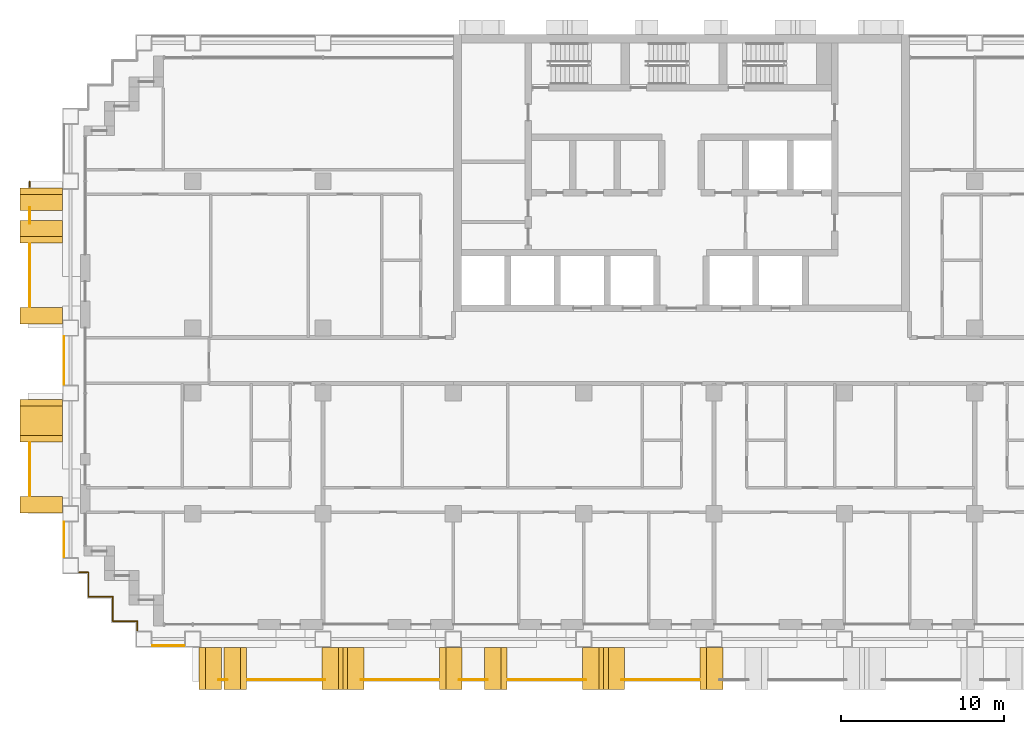
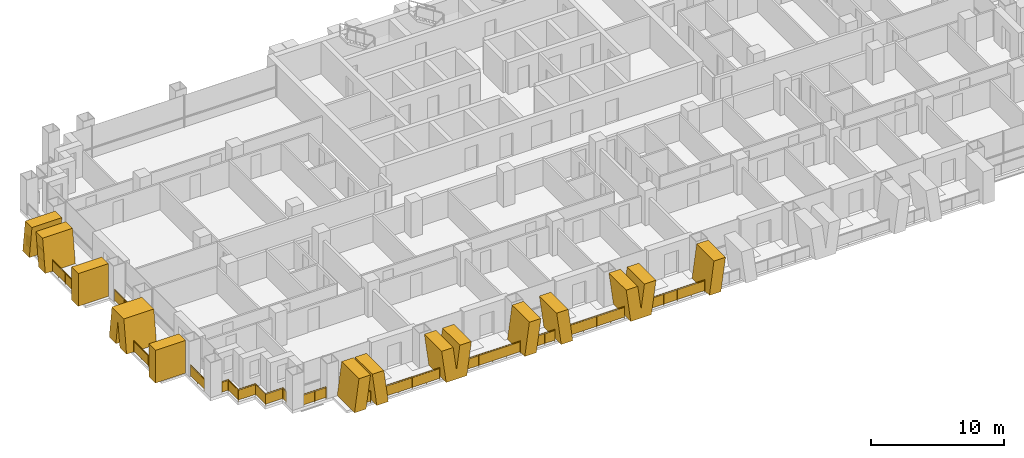
# One storey, part 15 of 18: 14 railings, 12 shading devices.
"""IFC4 building model written with IfcOpenShell, lengths in metres."""

from ifc_helpers import new_model, si_unit, direction, frame, origin, origin_2d, place, context, subcontext, project, spatial, polyline, rectangle, circle, outline, extrude, material, layer, layer_set, type_object, element, save


model = new_model("IFC4")

# Units and contexts
model_context = context("Model", 3, precision=1e-05, world=origin(), true_north=direction((0.0, 1.0)))
body_context = subcontext(model_context, "Body", "Model", "MODEL_VIEW")
ifc_project = project(units=[si_unit("LENGTHUNIT", "METRE"), si_unit("AREAUNIT", "SQUARE_METRE"), si_unit("VOLUMEUNIT", "CUBIC_METRE"), si_unit("PLANEANGLEUNIT", "RADIAN"), si_unit("MASSUNIT", "GRAM", prefix="KILO")], contexts=[model_context])

# Site, building, storey
site_placement = place(None, origin())
site = spatial("IfcSite", under=ifc_project, at=site_placement, CompositionType="ELEMENT")
building_placement = place(site_placement, origin())
building = spatial("IfcBuilding", under=site, at=building_placement, Name="Vidyagriha Tower", CompositionType="ELEMENT")
storey_placement = place(building_placement, frame((0.0, 0.0, 44.800048828125)))
storey = spatial("IfcBuildingStorey", under=building, at=storey_placement, Name="L11", CompositionType="ELEMENT", Elevation=44.800048828125)

# Railings
ifc_material_1 = material(Name="Steel ASTM A500 Grade C black painted", Category="steel")
railing_type_1 = type_object("IfcRailingType", Name="Balcony guard 1100", PredefinedType="BALUSTRADE", material=ifc_material_1)
railing_1_placement = place(storey_placement, frame((-40.0, 11.0, 0.0)))
element("IfcRailing", 1, at=railing_1_placement, inside=storey, type_object=railing_type_1, Name="Balcony guard L11 R16.1-1", PredefinedType="BALUSTRADE", context=body_context, shape_type="SweptSolid", body=[
    extrude(circle(Radius=0.02490234375, at=origin_2d()), frame((0.0, 0.0, 1.0751953125), z_axis=(0.0, -1.0, 0.0), x_axis=(1.0, 0.0, 0.0)), (0.0, 0.0, 1.0), 0.35009765625),
    extrude(circle(Radius=0.02001953125, at=origin_2d()), origin(), (0.0, 0.0, 1.0), 1.050048828125),
    extrude(circle(Radius=0.02001953125, at=origin_2d()), frame((0.0, -0.35009765625, 0.0)), (0.0, 0.0, 1.0), 1.050048828125),
    extrude(rectangle(XDim=0.010009765625, YDim=0.900146484375, at=origin_2d()), frame((0.0, 0.0, 0.550048828125), z_axis=(0.0, -1.0, 0.0), x_axis=(1.0, 0.0, 0.0)), (0.0, 0.0, 1.0), 0.35009765625),
])
railing_2_placement = place(storey_placement, frame((-40.0, 9.396728515625, 0.0)))
element("IfcRailing", 2, at=railing_2_placement, inside=storey, type_object=railing_type_1, Name="Balcony guard L11 R16.1-2", PredefinedType="BALUSTRADE", context=body_context, shape_type="SweptSolid", body=[
    extrude(circle(Radius=0.02490234375, at=origin_2d()), frame((0.0, 0.0, 1.0751953125), z_axis=(0.0, -1.0, 0.0), x_axis=(1.0, 0.0, 0.0)), (0.0, 0.0, 1.0), 0.993408203125),
    extrude(circle(Radius=0.02001953125, at=origin_2d()), origin(), (0.0, 0.0, 1.0), 1.050048828125),
    extrude(circle(Radius=0.02001953125, at=origin_2d()), frame((0.0, -0.993408203125, 0.0)), (0.0, 0.0, 1.0), 1.050048828125),
    extrude(rectangle(XDim=0.010009765625, YDim=0.900146484375, at=origin_2d()), frame((0.0, 0.0, 0.550048828125), z_axis=(0.0, -1.0, 0.0), x_axis=(1.0, 0.0, 0.0)), (0.0, 0.0, 1.0), 0.993408203125),
])
railing_3_placement = place(storey_placement, frame((-40.0, 7.14990234375, 0.0)))
element("IfcRailing", 3, at=railing_3_placement, inside=storey, type_object=railing_type_1, Name="Balcony guard L11 R16.1-3", PredefinedType="BALUSTRADE", context=body_context, shape_type="SweptSolid", body=[
    extrude(circle(Radius=0.02490234375, at=origin_2d()), frame((0.0, 0.0, 1.0751953125), z_axis=(0.0, -1.0, 0.0), x_axis=(1.0, 0.0, 0.0)), (0.0, 0.0, 1.0), 3.849853515625),
    extrude(circle(Radius=0.02001953125, at=origin_2d()), origin(), (0.0, 0.0, 1.0), 1.050048828125),
    extrude(circle(Radius=0.02001953125, at=origin_2d()), frame((0.0, -0.96240234375, 0.0)), (0.0, 0.0, 1.0), 1.050048828125),
    extrude(circle(Radius=0.02001953125, at=origin_2d()), frame((0.0, -1.9248046875, 0.0)), (0.0, 0.0, 1.0), 1.050048828125),
    extrude(circle(Radius=0.02001953125, at=origin_2d()), frame((0.0, -2.887451171875, 0.0)), (0.0, 0.0, 1.0), 1.050048828125),
    extrude(circle(Radius=0.02001953125, at=origin_2d()), frame((0.0, -3.849853515625, 0.0)), (0.0, 0.0, 1.0), 1.050048828125),
    extrude(rectangle(XDim=0.010009765625, YDim=0.900146484375, at=origin_2d()), frame((0.0, 0.0, 0.550048828125), z_axis=(0.0, -1.0, 0.0), x_axis=(1.0, 0.0, 0.0)), (0.0, 0.0, 1.0), 3.849853515625),
])
railing_4_placement = place(storey_placement, frame((-40.0, -5.050048828125, 0.0)))
element("IfcRailing", 4, at=railing_4_placement, inside=storey, type_object=railing_type_1, Name="Balcony guard L11 R16.2-1", PredefinedType="BALUSTRADE", context=body_context, shape_type="SweptSolid", body=[
    extrude(circle(Radius=0.02490234375, at=origin_2d()), frame((0.0, 0.0, 1.0751953125), z_axis=(0.0, -1.0, 0.0), x_axis=(1.0, 0.0, 0.0)), (0.0, 0.0, 1.0), 3.25),
    extrude(circle(Radius=0.02001953125, at=origin_2d()), origin(), (0.0, 0.0, 1.0), 1.050048828125),
    extrude(circle(Radius=0.02001953125, at=origin_2d()), frame((0.0, -1.083251953125, 0.0)), (0.0, 0.0, 1.0), 1.050048828125),
    extrude(circle(Radius=0.02001953125, at=origin_2d()), frame((0.0, -2.166748046875, 0.0)), (0.0, 0.0, 1.0), 1.050048828125),
    extrude(circle(Radius=0.02001953125, at=origin_2d()), frame((0.0, -3.25, 0.0)), (0.0, 0.0, 1.0), 1.050048828125),
    extrude(rectangle(XDim=0.010009765625, YDim=0.900146484375, at=origin_2d()), frame((0.0, 0.0, 0.550048828125), z_axis=(0.0, -1.0, 0.0), x_axis=(1.0, 0.0, 0.0)), (0.0, 0.0, 1.0), 3.25),
])
railing_5_placement = place(storey_placement, frame((-28.41650390625, -19.60009765625, 0.0)))
element("IfcRailing", 5, at=railing_5_placement, inside=storey, type_object=railing_type_1, Name="Balcony guard L11 R23.1-1", PredefinedType="BALUSTRADE", context=body_context, shape_type="SweptSolid", body=[
    extrude(circle(Radius=0.02490234375, at=origin_2d()), frame((0.0, 0.0, 1.0751953125), z_axis=(1.0, 0.0, 0.0), x_axis=(0.0, 1.0, 0.0)), (0.0, 0.0, 1.0), 0.532958984375),
    extrude(circle(Radius=0.02001953125, at=origin_2d()), origin(), (0.0, 0.0, 1.0), 1.050048828125),
    extrude(circle(Radius=0.02001953125, at=origin_2d()), frame((0.532958984375, 0.0, 0.0)), (0.0, 0.0, 1.0), 1.050048828125),
    extrude(rectangle(XDim=0.010009765625, YDim=0.900146484375, at=origin_2d()), frame((0.0, 0.0, 0.550048828125), z_axis=(1.0, 0.0, 0.0), x_axis=(0.0, 1.0, 0.0)), (0.0, 0.0, 1.0), 0.532958984375),
])
railing_6_placement = place(storey_placement, frame((-26.6357421875, -19.60009765625, 0.0)))
element("IfcRailing", 6, at=railing_6_placement, inside=storey, type_object=railing_type_1, Name="Balcony guard L11 R23.1-2", PredefinedType="BALUSTRADE", context=body_context, shape_type="SweptSolid", body=[
    extrude(circle(Radius=0.02490234375, at=origin_2d()), frame((0.0, 0.0, 1.0751953125), z_axis=(1.0, 0.0, 0.0), x_axis=(0.0, 1.0, 0.0)), (0.0, 0.0, 1.0), 4.764404296875),
    extrude(circle(Radius=0.02001953125, at=origin_2d()), origin(), (0.0, 0.0, 1.0), 1.050048828125),
    extrude(circle(Radius=0.02001953125, at=origin_2d()), frame((1.191162109375, 0.0, 0.0)), (0.0, 0.0, 1.0), 1.050048828125),
    extrude(circle(Radius=0.02001953125, at=origin_2d()), frame((2.38232421875, 0.0, 0.0)), (0.0, 0.0, 1.0), 1.050048828125),
    extrude(circle(Radius=0.02001953125, at=origin_2d()), frame((3.5732421875, 0.0, 0.0)), (0.0, 0.0, 1.0), 1.050048828125),
    extrude(circle(Radius=0.02001953125, at=origin_2d()), frame((4.764404296875, 0.0, 0.0)), (0.0, 0.0, 1.0), 1.050048828125),
    extrude(rectangle(XDim=0.010009765625, YDim=0.900146484375, at=origin_2d()), frame((0.0, 0.0, 0.550048828125), z_axis=(1.0, 0.0, 0.0), x_axis=(0.0, 1.0, 0.0)), (0.0, 0.0, 1.0), 4.764404296875),
])
railing_7_placement = place(storey_placement, frame((-19.678466796875, -19.60009765625, 0.0)))
element("IfcRailing", 7, at=railing_7_placement, inside=storey, type_object=railing_type_1, Name="Balcony guard L11 R23.1-3", PredefinedType="BALUSTRADE", context=body_context, shape_type="SweptSolid", body=[
    extrude(circle(Radius=0.02490234375, at=origin_2d()), frame((0.0, 0.0, 1.0751953125), z_axis=(1.0, 0.0, 0.0), x_axis=(0.0, 1.0, 0.0)), (0.0, 0.0, 1.0), 4.7734375),
    extrude(circle(Radius=0.02001953125, at=origin_2d()), origin(), (0.0, 0.0, 1.0), 1.050048828125),
    extrude(circle(Radius=0.02001953125, at=origin_2d()), frame((1.193359375, 0.0, 0.0)), (0.0, 0.0, 1.0), 1.050048828125),
    extrude(circle(Radius=0.02001953125, at=origin_2d()), frame((2.38671875, 0.0, 0.0)), (0.0, 0.0, 1.0), 1.050048828125),
    extrude(circle(Radius=0.02001953125, at=origin_2d()), frame((3.580078125, 0.0, 0.0)), (0.0, 0.0, 1.0), 1.050048828125),
    extrude(circle(Radius=0.02001953125, at=origin_2d()), frame((4.7734375, 0.0, 0.0)), (0.0, 0.0, 1.0), 1.050048828125),
    extrude(rectangle(XDim=0.010009765625, YDim=0.900146484375, at=origin_2d()), frame((0.0, 0.0, 0.550048828125), z_axis=(1.0, 0.0, 0.0), x_axis=(0.0, 1.0, 0.0)), (0.0, 0.0, 1.0), 4.7734375),
])
railing_8_placement = place(storey_placement, frame((-13.653564453125, -19.60009765625, 0.0)))
element("IfcRailing", 8, at=railing_8_placement, inside=storey, type_object=railing_type_1, Name="Balcony guard L11 R23.1-4", PredefinedType="BALUSTRADE", context=body_context, shape_type="SweptSolid", body=[
    extrude(circle(Radius=0.02490234375, at=origin_2d()), frame((0.0, 0.0, 1.0751953125), z_axis=(1.0, 0.0, 0.0), x_axis=(0.0, 1.0, 0.0)), (0.0, 0.0, 1.0), 1.757080078125),
    extrude(circle(Radius=0.02001953125, at=origin_2d()), origin(), (0.0, 0.0, 1.0), 1.050048828125),
    extrude(circle(Radius=0.02001953125, at=origin_2d()), frame((0.87841796875, 0.0, 0.0)), (0.0, 0.0, 1.0), 1.050048828125),
    extrude(circle(Radius=0.02001953125, at=origin_2d()), frame((1.757080078125, 0.0, 0.0)), (0.0, 0.0, 1.0), 1.050048828125),
    extrude(rectangle(XDim=0.010009765625, YDim=0.900146484375, at=origin_2d()), frame((0.0, 0.0, 0.550048828125), z_axis=(1.0, 0.0, 0.0), x_axis=(0.0, 1.0, 0.0)), (0.0, 0.0, 1.0), 1.757080078125),
])
railing_9_placement = place(storey_placement, frame((-10.64501953125, -19.60009765625, 0.0)))
element("IfcRailing", 9, at=railing_9_placement, inside=storey, type_object=railing_type_1, Name="Balcony guard L11 R23.1-5", PredefinedType="BALUSTRADE", context=body_context, shape_type="SweptSolid", body=[
    extrude(circle(Radius=0.02490234375, at=origin_2d()), frame((0.0, 0.0, 1.0751953125), z_axis=(1.0, 0.0, 0.0), x_axis=(0.0, 1.0, 0.0)), (0.0, 0.0, 1.0), 4.773681640625),
    extrude(circle(Radius=0.02001953125, at=origin_2d()), origin(), (0.0, 0.0, 1.0), 1.050048828125),
    extrude(circle(Radius=0.02001953125, at=origin_2d()), frame((1.193359375, 0.0, 0.0)), (0.0, 0.0, 1.0), 1.050048828125),
    extrude(circle(Radius=0.02001953125, at=origin_2d()), frame((2.38671875, 0.0, 0.0)), (0.0, 0.0, 1.0), 1.050048828125),
    extrude(circle(Radius=0.02001953125, at=origin_2d()), frame((3.580322265625, 0.0, 0.0)), (0.0, 0.0, 1.0), 1.050048828125),
    extrude(circle(Radius=0.02001953125, at=origin_2d()), frame((4.773681640625, 0.0, 0.0)), (0.0, 0.0, 1.0), 1.050048828125),
    extrude(rectangle(XDim=0.010009765625, YDim=0.900146484375, at=origin_2d()), frame((0.0, 0.0, 0.550048828125), z_axis=(1.0, 0.0, 0.0), x_axis=(0.0, 1.0, 0.0)), (0.0, 0.0, 1.0), 4.773681640625),
])
railing_10_placement = place(storey_placement, frame((-3.678466796875, -19.60009765625, 0.0)))
element("IfcRailing", 10, at=railing_10_placement, inside=storey, type_object=railing_type_1, Name="Balcony guard L11 R23.1-6", PredefinedType="BALUSTRADE", context=body_context, shape_type="SweptSolid", body=[
    extrude(circle(Radius=0.02490234375, at=origin_2d()), frame((0.0, 0.0, 1.0751953125), z_axis=(1.0, 0.0, 0.0), x_axis=(0.0, 1.0, 0.0)), (0.0, 0.0, 1.0), 4.7734375),
    extrude(circle(Radius=0.02001953125, at=origin_2d()), origin(), (0.0, 0.0, 1.0), 1.050048828125),
    extrude(circle(Radius=0.02001953125, at=origin_2d()), frame((1.193359375, 0.0, 0.0)), (0.0, 0.0, 1.0), 1.050048828125),
    extrude(circle(Radius=0.02001953125, at=origin_2d()), frame((2.38671875, 0.0, 0.0)), (0.0, 0.0, 1.0), 1.050048828125),
    extrude(circle(Radius=0.02001953125, at=origin_2d()), frame((3.580078125, 0.0, 0.0)), (0.0, 0.0, 1.0), 1.050048828125),
    extrude(circle(Radius=0.02001953125, at=origin_2d()), frame((4.7734375, 0.0, 0.0)), (0.0, 0.0, 1.0), 1.050048828125),
    extrude(rectangle(XDim=0.010009765625, YDim=0.900146484375, at=origin_2d()), frame((0.0, 0.0, 0.550048828125), z_axis=(1.0, 0.0, 0.0), x_axis=(0.0, 1.0, 0.0)), (0.0, 0.0, 1.0), 4.7734375),
])

# Shading devices
ifc_material_2 = material(Name="Precast concrete C40/50 with buff brick facing", Category="concrete")
ifc_layer_1 = layer(ifc_material_2, 1.0)
ifc_layer_set_1 = layer_set([ifc_layer_1], Name="Precast concrete C40/50 with buff brick facing")
shading_device_type_1 = type_object("IfcShadingDeviceType", Name="Brick-faced blade fin arm leaning 8 degrees", PredefinedType="USERDEFINED", material=ifc_layer_set_1)
shading_device_1_placement = place(storey_placement, frame((-39.300048828125, 10.60009765625, 0.0), z_axis=(0.0, 0.0, 1.0), x_axis=(0.0, -1.0, 0.0)))
element("IfcShadingDevice", 11, at=shading_device_1_placement, inside=storey, type_object=shading_device_type_1, Name="Leaning blade fin L11 R16.280a", ObjectType="BLADE FIN", PredefinedType="USERDEFINED", context=body_context, shape_type="SweptSolid", body=[
    extrude(outline(polyline([(0.0, 0.0), (1.0, 0.0), (1.39990234375, 3.0), (0.39990234375, 3.0), (0.0, 0.0)])), frame((0.0, 1.300048828125, 0.0), z_axis=(0.0, -1.0, 0.0), x_axis=(1.0, 0.0, 0.0)), (0.0, 0.0, 1.0), 2.60009765625),
])
shading_device_2_placement = place(storey_placement, frame((-39.300048828125, 8.60009765625, 0.0), z_axis=(0.0, 0.0, 1.0), x_axis=(0.0, -1.0, 0.0)))
element("IfcShadingDevice", 12, at=shading_device_2_placement, inside=storey, type_object=shading_device_type_1, Name="Leaning blade fin L11 R16.280b", ObjectType="BLADE FIN", PredefinedType="USERDEFINED", context=body_context, shape_type="SweptSolid", body=[
    extrude(outline(polyline([(0.39990234375, 0.0), (1.39990234375, 0.0), (1.0, 3.0), (0.0, 3.0), (0.39990234375, 0.0)])), frame((0.0, 1.300048828125, 0.0), z_axis=(0.0, -1.0, 0.0), x_axis=(1.0, 0.0, 0.0)), (0.0, 0.0, 1.0), 2.60009765625),
])
shading_device_3_placement = place(storey_placement, frame((-29.6142578125, -18.89990234375, 0.0)))
element("IfcShadingDevice", 13, at=shading_device_3_placement, inside=storey, type_object=shading_device_type_1, Name="Leaning blade fin L11 R23.180a", ObjectType="BLADE FIN", PredefinedType="USERDEFINED", context=body_context, shape_type="SweptSolid", body=[
    extrude(outline(polyline([(0.0, 0.0), (1.0, 0.0), (1.3857421875, 3.0), (0.3857421875, 3.0), (0.0, 0.0)])), frame((0.0, 1.300048828125, 0.0), z_axis=(0.0, -1.0, 0.0), x_axis=(1.0, 0.0, 0.0)), (0.0, 0.0, 1.0), 2.60009765625),
])
shading_device_4_placement = place(storey_placement, frame((-28.0712890625, -18.89990234375, 0.0)))
element("IfcShadingDevice", 14, at=shading_device_4_placement, inside=storey, type_object=shading_device_type_1, Name="Leaning blade fin L11 R23.180b", ObjectType="BLADE FIN", PredefinedType="USERDEFINED", context=body_context, shape_type="SweptSolid", body=[
    extrude(outline(polyline([(0.3857421875, 0.0), (1.3857421875, 0.0), (1.0, 3.0), (0.0, 3.0), (0.3857421875, 0.0)])), frame((0.0, 1.300048828125, 0.0), z_axis=(0.0, -1.0, 0.0), x_axis=(1.0, 0.0, 0.0)), (0.0, 0.0, 1.0), 2.60009765625),
])
shading_device_5_placement = place(storey_placement, frame((-14.85498046875, -18.89990234375, 0.0)))
element("IfcShadingDevice", 15, at=shading_device_5_placement, inside=storey, type_object=shading_device_type_1, Name="Leaning blade fin L11 R23.1780a", ObjectType="BLADE FIN", PredefinedType="USERDEFINED", context=body_context, shape_type="SweptSolid", body=[
    extrude(outline(polyline([(0.0, 0.0), (1.0, 0.0), (1.39501953125, 3.0), (0.39501953125, 3.0), (0.0, 0.0)])), frame((0.0, 1.300048828125, 0.0), z_axis=(0.0, -1.0, 0.0), x_axis=(1.0, 0.0, 0.0)), (0.0, 0.0, 1.0), 2.60009765625),
])
shading_device_6_placement = place(storey_placement, frame((-12.090087890625, -18.89990234375, 0.0)))
element("IfcShadingDevice", 16, at=shading_device_6_placement, inside=storey, type_object=shading_device_type_1, Name="Leaning blade fin L11 R23.1780b", ObjectType="BLADE FIN", PredefinedType="USERDEFINED", context=body_context, shape_type="SweptSolid", body=[
    extrude(outline(polyline([(0.39501953125, 0.0), (1.39501953125, 0.0), (1.0, 3.0), (0.0, 3.0), (0.39501953125, 0.0)])), frame((0.0, 1.300048828125, 0.0), z_axis=(0.0, -1.0, 0.0), x_axis=(1.0, 0.0, 0.0)), (0.0, 0.0, 1.0), 2.60009765625),
])
shading_device_7_placement = place(storey_placement, frame((1.14501953125, -18.89990234375, 0.0)))
element("IfcShadingDevice", 17, at=shading_device_7_placement, inside=storey, type_object=shading_device_type_1, Name="Leaning blade fin L11 R23.3380a", ObjectType="BLADE FIN", PredefinedType="USERDEFINED", context=body_context, shape_type="SweptSolid", body=[
    extrude(outline(polyline([(0.0, 0.0), (1.0, 0.0), (1.39501953125, 3.0), (0.39501953125, 3.0), (0.0, 0.0)])), frame((0.0, 1.300048828125, 0.0), z_axis=(0.0, -1.0, 0.0), x_axis=(1.0, 0.0, 0.0)), (0.0, 0.0, 1.0), 2.60009765625),
])
ifc_material_3 = material(Name="Precast concrete C40/50 with buff brick facing", Category="concrete")
ifc_layer_2 = layer(ifc_material_3, 1.0)
ifc_layer_set_2 = layer_set([ifc_layer_2], Name="Precast concrete C40/50 with buff brick facing")
shading_device_type_2 = type_object("IfcShadingDeviceType", Name="Brick-faced blade fin forking 8 degrees", PredefinedType="USERDEFINED", material=ifc_layer_set_2)
shading_device_8_placement = place(storey_placement, frame((-39.300048828125, -2.39990234375, 0.0), z_axis=(0.0, 0.0, 1.0), x_axis=(0.0, -1.0, 0.0)))
element("IfcShadingDevice", 18, at=shading_device_8_placement, inside=storey, type_object=shading_device_type_2, Name="Forked blade fin L11 R16.1580a", ObjectType="BLADE FIN", PredefinedType="USERDEFINED", context=body_context, shape_type="SweptSolid", body=[
    extrude(outline(polyline([(1.0, 0.0), (1.300048828125, 2.25), (1.60009765625, 0.0), (2.60009765625, 0.0), (2.199951171875, 3.0), (0.39990234375, 3.0), (0.0, 0.0), (1.0, 0.0)])), frame((0.0, 1.300048828125, 0.0), z_axis=(0.0, -1.0, 0.0), x_axis=(1.0, 0.0, 0.0)), (0.0, 0.0, 1.0), 2.60009765625),
])
for number, where, name in (
    (19, (-22.06494140625, -18.89990234375, 0.0), "Forked blade fin L11 R23.980a"),
    (20, (-6.06494140625, -18.89990234375, 0.0), "Forked blade fin L11 R23.2580a"),
):
    element("IfcShadingDevice", number, at=place(storey_placement, frame(where)), inside=storey, type_object=shading_device_type_2, Name=name, ObjectType="BLADE FIN", PredefinedType="USERDEFINED", context=body_context, shape_type="SweptSolid", body=[
        extrude(outline(polyline([(0.39501953125, 0.0), (2.18505859375, 0.0), (2.580078125, 3.0), (1.580078125, 3.0), (1.2900390625, 0.79736328125), (1.0, 3.0), (0.0, 3.0), (0.39501953125, 0.0)])), frame((0.0, 1.300048828125, 0.0), z_axis=(0.0, -1.0, 0.0), x_axis=(1.0, 0.0, 0.0)), (0.0, 0.0, 1.0), 2.60009765625),
    ])
ifc_material_4 = material(Name="Precast concrete C40/50 with buff brick facing", Category="concrete")
ifc_layer_3 = layer(ifc_material_4, 1.0)
ifc_layer_set_3 = layer_set([ifc_layer_3], Name="Precast concrete C40/50 with buff brick facing")
shading_device_type_3 = type_object("IfcShadingDeviceType", Name="Brick-faced blade fin stem 1000", PredefinedType="USERDEFINED", material=ifc_layer_set_3)
for number, where, z_axis, x_axis, name in (
    (21, (-39.300048828125, 3.25, 0.0), (0.0, 0.0, 1.0), (0.0, -1.0, 0.0), "Stem blade fin L11 R16.1180a"),
    (22, (-39.300048828125, -8.35009765625, 0.0), (0.0, 0.0, 1.0), (0.0, -1.0, 0.0), "Stem blade fin L11 R16.2320a"),
):
    element("IfcShadingDevice", number, at=place(storey_placement, frame(where, z_axis=z_axis, x_axis=x_axis)), inside=storey, type_object=shading_device_type_3, Name=name, ObjectType="BLADE FIN", PredefinedType="USERDEFINED", context=body_context, shape_type="SweptSolid", body=[
        extrude(outline(polyline([(0.0, 0.0), (1.0, 0.0), (1.0, 3.0), (0.0, 3.0), (0.0, 0.0)])), frame((0.0, 1.300048828125, 0.0), z_axis=(0.0, -1.0, 0.0), x_axis=(1.0, 0.0, 0.0)), (0.0, 0.0, 1.0), 2.60009765625),
    ])

# Railings
ifc_material_5 = material(Name="Steel ASTM A500 Grade C black painted", Category="steel")
railing_type_2 = type_object("IfcRailingType", Name="Gallery guard 1100", PredefinedType="GUARDRAIL", material=ifc_material_5)
railing_11_placement = place(storey_placement, frame((-37.89990234375, -12.070068359375, 0.0)))
element("IfcRailing", 23, at=railing_11_placement, inside=storey, type_object=railing_type_2, Name="Gallery guard L11 1", PredefinedType="GUARDRAIL", context=body_context, shape_type="SweptSolid", body=[
    extrude(circle(Radius=0.02490234375, at=origin_2d()), frame((0.0, 0.0, 1.0751953125), z_axis=(0.0, 1.0, 0.0), x_axis=(-1.0, 0.0, 0.0)), (0.0, 0.0, 1.0), 2.14013671875),
    extrude(circle(Radius=0.02001953125, at=origin_2d()), origin(), (0.0, 0.0, 1.0), 1.050048828125),
    extrude(circle(Radius=0.02001953125, at=origin_2d()), frame((0.0, 1.070068359375, 0.0)), (0.0, 0.0, 1.0), 1.050048828125),
    extrude(circle(Radius=0.02001953125, at=origin_2d()), frame((0.0, 2.14013671875, 0.0)), (0.0, 0.0, 1.0), 1.050048828125),
    extrude(rectangle(XDim=0.010009765625, YDim=0.900146484375, at=origin_2d()), frame((0.0, 0.0, 0.550048828125), z_axis=(0.0, 1.0, 0.0), x_axis=(-1.0, 0.0, 0.0)), (0.0, 0.0, 1.0), 2.14013671875),
])
railing_12_placement = place(storey_placement, frame((-37.89990234375, -1.469970703125, 0.0)))
element("IfcRailing", 24, at=railing_12_placement, inside=storey, type_object=railing_type_2, Name="Gallery guard L11 2", PredefinedType="GUARDRAIL", context=body_context, shape_type="SweptSolid", body=[
    extrude(circle(Radius=0.02490234375, at=origin_2d()), frame((0.0, 0.0, 1.0751953125), z_axis=(0.0, 1.0, 0.0), x_axis=(-1.0, 0.0, 0.0)), (0.0, 0.0, 1.0), 2.93994140625),
    extrude(circle(Radius=0.02001953125, at=origin_2d()), origin(), (0.0, 0.0, 1.0), 1.050048828125),
    extrude(circle(Radius=0.02001953125, at=origin_2d()), frame((0.0, 1.469970703125, 0.0)), (0.0, 0.0, 1.0), 1.050048828125),
    extrude(circle(Radius=0.02001953125, at=origin_2d()), frame((0.0, 2.93994140625, 0.0)), (0.0, 0.0, 1.0), 1.050048828125),
    extrude(rectangle(XDim=0.010009765625, YDim=0.900146484375, at=origin_2d()), frame((0.0, 0.0, 0.550048828125), z_axis=(0.0, 1.0, 0.0), x_axis=(-1.0, 0.0, 0.0)), (0.0, 0.0, 1.0), 2.93994140625),
])
railing_13_placement = place(storey_placement, frame((-33.39990234375, -16.570068359375, 0.0)))
element("IfcRailing", 25, at=railing_13_placement, inside=storey, type_object=railing_type_2, Name="Gallery guard L11 4", PredefinedType="GUARDRAIL", context=body_context, shape_type="SweptSolid", body=[
    extrude(circle(Radius=0.02490234375, at=origin_2d()), frame((0.0, 0.0, 1.0751953125), z_axis=(0.0, 1.0, 0.0), x_axis=(-1.0, 0.0, 0.0)), (0.0, 0.0, 1.0), 0.570068359375),
    extrude(circle(Radius=0.02490234375, at=origin_2d()), frame((0.0, 0.570068359375, 1.0751953125), z_axis=(-1.0, 0.0, 0.0), x_axis=(0.0, -1.0, 0.0)), (0.0, 0.0, 1.0), 1.5),
    extrude(circle(Radius=0.02490234375, at=origin_2d()), frame((-1.5, 0.570068359375, 1.0751953125), z_axis=(0.0, 1.0, 0.0), x_axis=(-1.0, 0.0, 0.0)), (0.0, 0.0, 1.0), 1.5),
    extrude(circle(Radius=0.02490234375, at=origin_2d()), frame((-1.5, 2.070068359375, 1.0751953125), z_axis=(-1.0, 0.0, 0.0), x_axis=(0.0, -1.0, 0.0)), (0.0, 0.0, 1.0), 1.5),
    extrude(circle(Radius=0.02490234375, at=origin_2d()), frame((-3.0, 2.070068359375, 1.0751953125), z_axis=(0.0, 1.0, 0.0), x_axis=(-1.0, 0.0, 0.0)), (0.0, 0.0, 1.0), 1.5),
    extrude(circle(Radius=0.02490234375, at=origin_2d()), frame((-3.0, 3.570068359375, 1.0751953125), z_axis=(-1.0, 0.0, 0.0), x_axis=(0.0, -1.0, 0.0)), (0.0, 0.0, 1.0), 0.570068359375),
    extrude(circle(Radius=0.02001953125, at=origin_2d()), origin(), (0.0, 0.0, 1.0), 1.050048828125),
    extrude(circle(Radius=0.02001953125, at=origin_2d()), frame((0.0, 0.570068359375, 0.0)), (0.0, 0.0, 1.0), 1.050048828125),
    extrude(circle(Radius=0.02001953125, at=origin_2d()), frame((-1.5, 0.570068359375, 0.0)), (0.0, 0.0, 1.0), 1.050048828125),
    extrude(circle(Radius=0.02001953125, at=origin_2d()), frame((-1.5, 2.070068359375, 0.0)), (0.0, 0.0, 1.0), 1.050048828125),
    extrude(circle(Radius=0.02001953125, at=origin_2d()), frame((-3.0, 2.070068359375, 0.0)), (0.0, 0.0, 1.0), 1.050048828125),
    extrude(circle(Radius=0.02001953125, at=origin_2d()), frame((-3.0, 3.570068359375, 0.0)), (0.0, 0.0, 1.0), 1.050048828125),
    extrude(circle(Radius=0.02001953125, at=origin_2d()), frame((-3.570068359375, 3.570068359375, 0.0)), (0.0, 0.0, 1.0), 1.050048828125),
    extrude(rectangle(XDim=0.010009765625, YDim=0.900146484375, at=origin_2d()), frame((0.0, 0.0, 0.550048828125), z_axis=(0.0, 1.0, 0.0), x_axis=(-1.0, 0.0, 0.0)), (0.0, 0.0, 1.0), 0.570068359375),
    extrude(rectangle(XDim=0.010009765625, YDim=0.900146484375, at=origin_2d()), frame((0.0, 0.570068359375, 0.550048828125), z_axis=(-1.0, 0.0, 0.0), x_axis=(0.0, -1.0, 0.0)), (0.0, 0.0, 1.0), 1.5),
    extrude(rectangle(XDim=0.010009765625, YDim=0.900146484375, at=origin_2d()), frame((-1.5, 0.570068359375, 0.550048828125), z_axis=(0.0, 1.0, 0.0), x_axis=(-1.0, 0.0, 0.0)), (0.0, 0.0, 1.0), 1.5),
    extrude(rectangle(XDim=0.010009765625, YDim=0.900146484375, at=origin_2d()), frame((-1.5, 2.070068359375, 0.550048828125), z_axis=(-1.0, 0.0, 0.0), x_axis=(0.0, -1.0, 0.0)), (0.0, 0.0, 1.0), 1.5),
    extrude(rectangle(XDim=0.010009765625, YDim=0.900146484375, at=origin_2d()), frame((-3.0, 2.070068359375, 0.550048828125), z_axis=(0.0, 1.0, 0.0), x_axis=(-1.0, 0.0, 0.0)), (0.0, 0.0, 1.0), 1.5),
    extrude(rectangle(XDim=0.010009765625, YDim=0.900146484375, at=origin_2d()), frame((-3.0, 3.570068359375, 0.550048828125), z_axis=(-1.0, 0.0, 0.0), x_axis=(0.0, -1.0, 0.0)), (0.0, 0.0, 1.0), 0.570068359375),
])
railing_14_placement = place(storey_placement, frame((-30.530029296875, -17.5, 0.0)))
element("IfcRailing", 26, at=railing_14_placement, inside=storey, type_object=railing_type_2, Name="Gallery guard L11 6", PredefinedType="GUARDRAIL", context=body_context, shape_type="SweptSolid", body=[
    extrude(circle(Radius=0.02490234375, at=origin_2d()), frame((0.0, 0.0, 1.0751953125), z_axis=(-1.0, 0.0, 0.0), x_axis=(0.0, -1.0, 0.0)), (0.0, 0.0, 1.0), 1.93994140625),
    extrude(circle(Radius=0.02001953125, at=origin_2d()), origin(), (0.0, 0.0, 1.0), 1.050048828125),
    extrude(circle(Radius=0.02001953125, at=origin_2d()), frame((-0.969970703125, 0.0, 0.0)), (0.0, 0.0, 1.0), 1.050048828125),
    extrude(circle(Radius=0.02001953125, at=origin_2d()), frame((-1.93994140625, 0.0, 0.0)), (0.0, 0.0, 1.0), 1.050048828125),
    extrude(rectangle(XDim=0.010009765625, YDim=0.900146484375, at=origin_2d()), frame((0.0, 0.0, 0.550048828125), z_axis=(-1.0, 0.0, 0.0), x_axis=(0.0, -1.0, 0.0)), (0.0, 0.0, 1.0), 1.93994140625),
])

save(model, "model.ifc")
